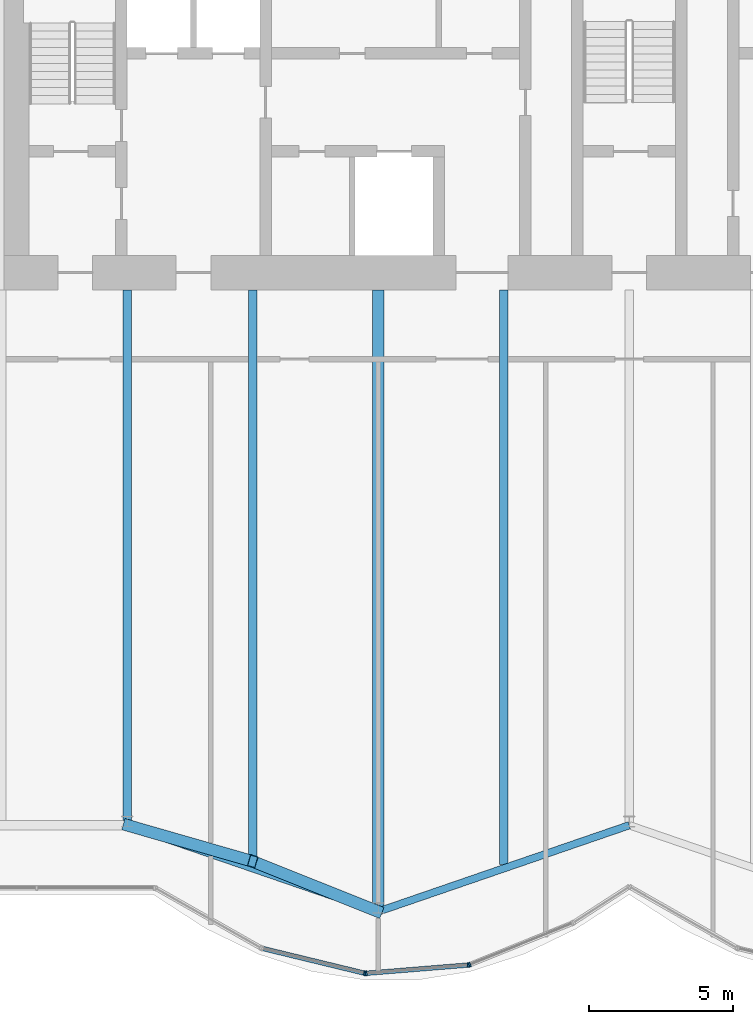
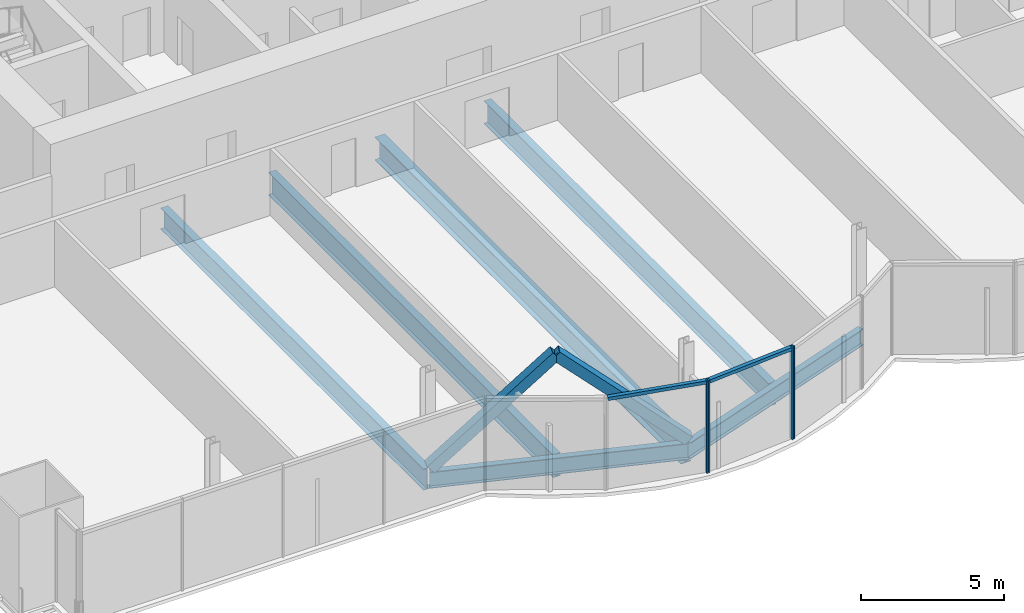
# One storey, part 6 of 20: 8 members, 6 beams, 1 element without a shape of its own.
"""IFC4 building model written with IfcOpenShell, lengths in metres."""

from ifc_helpers import new_model, si_unit, direction, frame, origin, origin_2d, place, context, subcontext, project, spatial, rectangle, hollow_rectangle, i_section, extrude, material, material_profile, profile_set, type_object, element, aggregate, save


model = new_model("IFC4")

# Units and contexts
model_context = context("Model", 3, precision=1e-05, world=origin(), true_north=direction((0.0, 1.0)))
body_context = subcontext(model_context, "Body", "Model", "MODEL_VIEW")
ifc_project = project(units=[si_unit("LENGTHUNIT", "METRE"), si_unit("AREAUNIT", "SQUARE_METRE"), si_unit("VOLUMEUNIT", "CUBIC_METRE"), si_unit("PLANEANGLEUNIT", "RADIAN"), si_unit("MASSUNIT", "GRAM", prefix="KILO")], contexts=[model_context])

# Site, building, storey
site_placement = place(None, origin())
site = spatial("IfcSite", under=ifc_project, at=site_placement, CompositionType="ELEMENT")
building_placement = place(site_placement, origin())
building = spatial("IfcBuilding", under=site, at=building_placement, Name="Bicima Exchange Tower", CompositionType="ELEMENT")
storey_placement = place(building_placement, frame((0.0, 0.0, 177.300048828125)))
storey = spatial("IfcBuildingStorey", under=building, at=storey_placement, Name="L39", CompositionType="ELEMENT", Elevation=177.300048828125)

# Beams
ifc_material_1 = material(Name="Steel ASTM A992 Gr 50", Category="steel")
ifc_material_profile_1 = material_profile(ifc_material_1, i_section(OverallWidth=0.3046875, OverallDepth=0.904296875, WebThickness=0.01513671875, FlangeThickness=0.02001953125, at=origin_2d()))
ifc_profile_set_1 = profile_set([ifc_material_profile_1], Name="Steel ASTM A992 Gr 50")
beam_type_1 = type_object("IfcBeamType", Name="Floor beam W36x135", PredefinedType="JOIST", material=ifc_profile_set_1)
beam_1_placement = place(storey_placement, frame((-17.39990234375, -13.0, -0.60205078125), z_axis=(0.0, -1.0, 0.0), x_axis=(1.0, 0.0, 0.0)))
element("IfcBeam", 1, at=beam_1_placement, inside=storey, type_object=beam_type_1, Name="Floor beam", PredefinedType="JOIST", context=body_context, shape_type="SweptSolid", body=[
    extrude(i_section(OverallWidth=0.3046875, OverallDepth=0.904296875, WebThickness=0.01513671875, FlangeThickness=0.02001953125, at=origin_2d()), origin(), (0.0, 0.0, 1.0), 18.385498046875),
])
ifc_material_profile_2 = material_profile(ifc_material_1, i_section(OverallWidth=0.2998046875, OverallDepth=0.97021484375, WebThickness=0.01611328125, FlangeThickness=0.02099609375, at=origin_2d()))
ifc_profile_set_2 = profile_set([ifc_material_profile_2], Name="Steel ASTM A992 Gr 50")
beam_type_2 = type_object("IfcBeamType", Name="Floor beam W40x149", PredefinedType="JOIST", material=ifc_profile_set_2)
for number, where, z_axis, x_axis, name in (
    (2, (-13.050048828125, -13.0, -0.63525390625), (0.0, -1.0, 0.0), (1.0, 0.0, 0.0), "Floor beam"),
    (3, (-4.35009765625, -13.0, -0.63525390625), (0.0, -1.0, 0.0), (1.0, 0.0, 0.0), "Floor beam"),
):
    element("IfcBeam", number, at=place(storey_placement, frame(where, z_axis=z_axis, x_axis=x_axis)), inside=storey, type_object=beam_type_2, Name=name, PredefinedType="JOIST", context=body_context, shape_type="SweptSolid", body=[
        extrude(i_section(OverallWidth=0.2998046875, OverallDepth=0.97021484375, WebThickness=0.01611328125, FlangeThickness=0.02099609375, at=origin_2d()), origin(), (0.0, 0.0, 1.0), 19.907958984375),
    ])
ifc_material_profile_3 = material_profile(ifc_material_1, i_section(OverallWidth=0.4013671875, OverallDepth=0.990478515625, WebThickness=0.0166015625, FlangeThickness=0.031005859375, at=origin_2d()))
ifc_profile_set_3 = profile_set([ifc_material_profile_3], Name="Steel ASTM A992 Gr 50")
beam_type_3 = type_object("IfcBeamType", Name="Floor beam W40x215", PredefinedType="JOIST", material=ifc_profile_set_3)
beam_2_placement = place(storey_placement, frame((-8.699951171875, -13.0, -0.645263671875), z_axis=(0.0, -1.0, 0.0), x_axis=(1.0, 0.0, 0.0)))
element("IfcBeam", 4, at=beam_2_placement, inside=storey, type_object=beam_type_3, Name="Floor beam", PredefinedType="JOIST", context=body_context, shape_type="SweptSolid", body=[
    extrude(i_section(OverallWidth=0.4013671875, OverallDepth=0.990478515625, WebThickness=0.0166015625, FlangeThickness=0.031005859375, at=origin_2d()), origin(), (0.0, 0.0, 1.0), 21.4033203125),
])
ifc_material_profile_4 = material_profile(ifc_material_1, i_section(OverallWidth=0.256591796875, OverallDepth=0.693359375, WebThickness=0.014404296875, FlangeThickness=0.023681640625, at=origin_2d()))
ifc_profile_set_4 = profile_set([ifc_material_profile_4], Name="Steel ASTM A992 Gr 50")
beam_type_4 = type_object("IfcBeamType", Name="Front girder W27x114", PredefinedType="BEAM", material=ifc_profile_set_4)
for number, where, z_axis, x_axis, name in (
    (5, (-17.39990234375, -31.548095703125, -0.496826171875), (0.945674616091, -0.32511462668, 0.0), (0.32511462668, 0.945674616091, 0.0), "Front girder"),
    (6, (-8.699951171875, -34.5390625, -0.496826171875), (0.945674616091, 0.32511462668, 0.0), (-0.32511462668, 0.945674616091, 0.0), "Front girder"),
):
    element("IfcBeam", number, at=place(storey_placement, frame(where, z_axis=z_axis, x_axis=x_axis)), inside=storey, type_object=beam_type_4, Name=name, PredefinedType="BEAM", context=body_context, shape_type="SweptSolid", body=[
        extrude(i_section(OverallWidth=0.256591796875, OverallDepth=0.693359375, WebThickness=0.014404296875, FlangeThickness=0.023681640625, at=origin_2d()), origin(), (0.0, 0.0, 1.0), 9.19970703125),
    ])

# Curtain wall, members
ifc_material_2 = material(Name="Anodised bronze aluminium", Category="aluminium")
curtain_wall_type = type_object("IfcCurtainWallType", Name="Front glass wall", PredefinedType="NOTDEFINED", material=ifc_material_2)
curtain_wall_placement = place(storey_placement, origin())
curtain_wall = element("IfcCurtainWall", 7, at=curtain_wall_placement, inside=storey, type_object=curtain_wall_type, Name="Front glass wall L39 run 6", PredefinedType="NOTDEFINED")
ifc_material_profile_5 = material_profile(ifc_material_2, rectangle(XDim=0.159912109375, YDim=0.06005859375, at=origin_2d()))
ifc_profile_set_5 = profile_set([ifc_material_profile_5], Name="Anodised bronze aluminium")
member_type_1 = type_object("IfcMemberType", Name="Front glass wall mullion 60 x 160", PredefinedType="MULLION", material=ifc_profile_set_5)
member_1_placement = place(storey_placement, frame((-9.177490234375, -36.673828125, 0.0), z_axis=(0.0, 0.0, 1.0), x_axis=(0.235681529503, 0.971830343553, 0.0)))
member_1 = element("IfcMember", 8, at=member_1_placement, type_object=member_type_1, Name="Front glass wall mullion 2", PredefinedType="MULLION", context=body_context, shape_type="SweptSolid", body=[
    extrude(rectangle(XDim=0.159912109375, YDim=0.06005859375, at=origin_2d()), origin(), (0.0, 0.0, 1.0), 3.949951171875),
])
member_2_placement = place(storey_placement, frame((-9.118408203125, -36.6787109375, 0.0), z_axis=(0.0, 0.0, 1.0), x_axis=(-0.080588612633, 0.99674744821, 0.0)))
member_2 = element("IfcMember", 9, at=member_2_placement, type_object=member_type_1, Name="Front glass wall mullion 1", PredefinedType="MULLION", context=body_context, shape_type="SweptSolid", body=[
    extrude(rectangle(XDim=0.159912109375, YDim=0.06005859375, at=origin_2d()), origin(), (0.0, 0.0, 1.0), 3.949951171875),
])
member_3_placement = place(storey_placement, frame((-5.583984375, -36.392822265625, 0.0), z_axis=(0.0, 0.0, 1.0), x_axis=(-0.080588612633, 0.99674744821, 0.0)))
member_3 = element("IfcMember", 10, at=member_3_placement, type_object=member_type_1, Name="Front glass wall mullion 2", PredefinedType="MULLION", context=body_context, shape_type="SweptSolid", body=[
    extrude(rectangle(XDim=0.159912109375, YDim=0.06005859375, at=origin_2d()), origin(), (0.0, 0.0, 1.0), 3.949951171875),
])
member_4_placement = place(storey_placement, frame((-5.526123046875, -36.379150390625, 0.0), z_axis=(0.0, 0.0, 1.0), x_axis=(-0.374705304, 0.92714396679, 0.0)))
member_4 = element("IfcMember", 11, at=member_4_placement, type_object=member_type_1, Name="Front glass wall mullion 1", PredefinedType="MULLION", context=body_context, shape_type="SweptSolid", body=[
    extrude(rectangle(XDim=0.159912109375, YDim=0.06005859375, at=origin_2d()), origin(), (0.0, 0.0, 1.0), 3.949951171875),
])
ifc_material_profile_6 = material_profile(ifc_material_2, rectangle(XDim=0.159912109375, YDim=0.139892578125, at=origin_2d()))
ifc_profile_set_6 = profile_set([ifc_material_profile_6], Name="Anodised bronze aluminium")
member_type_2 = type_object("IfcMemberType", Name="Front glass wall transom 140 x 160", PredefinedType="USERDEFINED", material=ifc_profile_set_6)
member_5_placement = place(storey_placement, frame((-12.68896484375, -35.822265625, 3.8798828125), z_axis=(0.971817951661, -0.235732621477, 0.0), x_axis=(0.235732621477, 0.971817951661, 0.0)))
member_5 = element("IfcMember", 12, at=member_5_placement, type_object=member_type_2, Name="Front glass wall transom 1.1", ObjectType="TRANSOM", PredefinedType="USERDEFINED", context=body_context, shape_type="SweptSolid", body=[
    extrude(rectangle(XDim=0.159912109375, YDim=0.139892578125, at=origin_2d()), origin(), (0.0, 0.0, 1.0), 3.58349609375),
])
member_6_placement = place(storey_placement, frame((-9.08837890625, -36.67626953125, 3.8798828125), z_axis=(0.9967456465, 0.080610893699, 0.0), x_axis=(-0.080610893699, 0.9967456465, 0.0)))
member_6 = element("IfcMember", 13, at=member_6_placement, type_object=member_type_2, Name="Front glass wall transom 1.1", ObjectType="TRANSOM", PredefinedType="USERDEFINED", context=body_context, shape_type="SweptSolid", body=[
    extrude(rectangle(XDim=0.159912109375, YDim=0.139892578125, at=origin_2d()), origin(), (0.0, 0.0, 1.0), 3.48583984375),
])
aggregate(curtain_wall, [member_1, member_5, member_2, member_3, member_6, member_4])

# Members
ifc_material_3 = material(Name="Steel ASTM A572 Gr 50", Category="steel")
ifc_material_profile_7 = material_profile(ifc_material_3, hollow_rectangle(XDim=0.406494140625, YDim=0.406494140625, WallThickness=0.017822265625, at=origin_2d()))
ifc_profile_set_7 = profile_set([ifc_material_profile_7], Name="Steel ASTM A572 Gr 50")
member_type_3 = type_object("IfcMemberType", Name="Mega brace HSS16x16x3/4", PredefinedType="BRACE", material=ifc_profile_set_7)
member_7_placement = place(storey_placement, frame((-17.39990234375, -31.548095703125, 0.0), z_axis=(0.71226631392, -0.204920981375, 0.671330089783), x_axis=(0.27648739579, 0.961017544049, 0.0)))
element("IfcMember", 14, at=member_7_placement, inside=storey, type_object=member_type_3, Name="Mega brace front", PredefinedType="BRACE", context=body_context, shape_type="SweptSolid", body=[
    extrude(hollow_rectangle(XDim=0.406494140625, YDim=0.406494140625, WallThickness=0.017822265625, at=origin_2d()), origin(), (0.0, 0.0, 1.0), 6.107177734375),
])
member_8_placement = place(storey_placement, frame((-8.699951171875, -34.5390625, 0.0), z_axis=(-0.698744239452, 0.279411421377, 0.658548210412), x_axis=(-0.371291842786, -0.928516218211, 0.0)))
element("IfcMember", 15, at=member_8_placement, inside=storey, type_object=member_type_3, Name="Mega brace front", PredefinedType="BRACE", context=body_context, shape_type="SweptSolid", body=[
    extrude(hollow_rectangle(XDim=0.406494140625, YDim=0.406494140625, WallThickness=0.017822265625, at=origin_2d()), origin(), (0.0, 0.0, 1.0), 6.2255859375),
])

save(model, "model.ifc")
